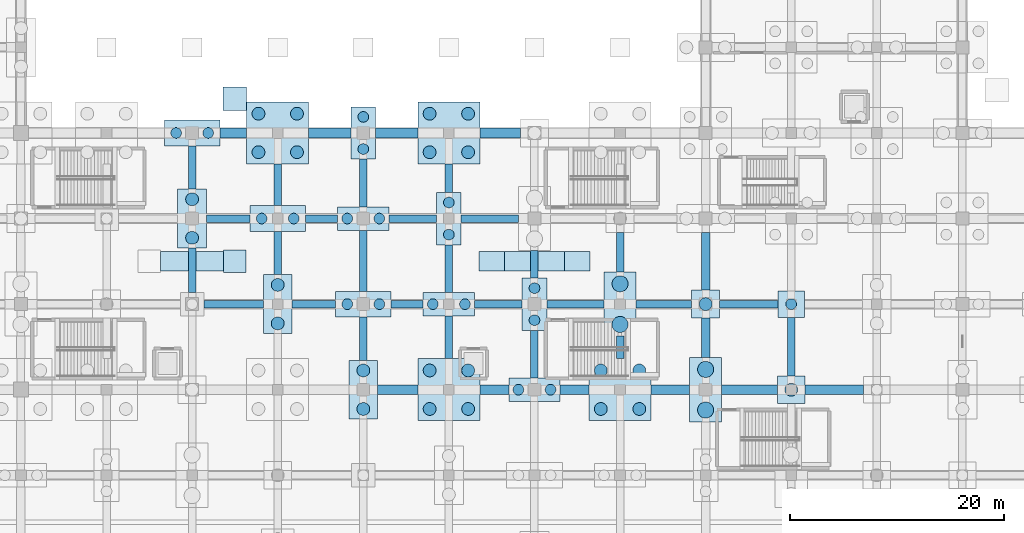
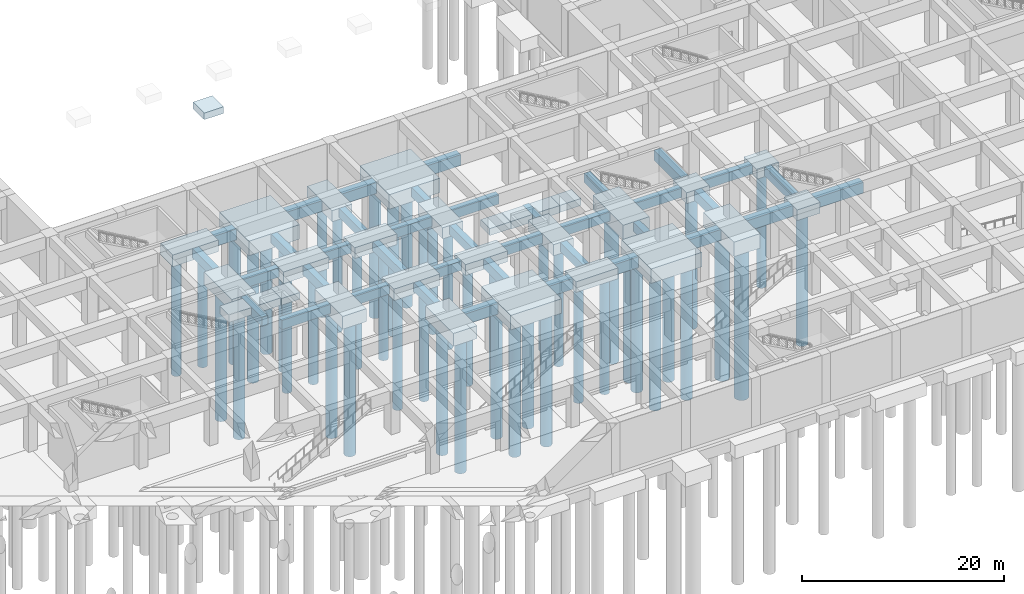
# One storey, part 5 of 26: 65 footings, 47 piles.
"""IFC4 building model written with IfcOpenShell, lengths in metres."""

from ifc_helpers import new_model, si_unit, direction, frame, origin, origin_2d, place, context, subcontext, project, spatial, rectangle, circle, extrude, material, material_profile, profile_set, type_object, element, save


model = new_model("IFC4")

# Units and contexts
model_context = context("Model", 3, precision=1e-05, world=origin(), true_north=direction((0.0, 1.0)))
body_context = subcontext(model_context, "Body", "Model", "MODEL_VIEW")
ifc_project = project(units=[si_unit("LENGTHUNIT", "METRE"), si_unit("AREAUNIT", "SQUARE_METRE"), si_unit("VOLUMEUNIT", "CUBIC_METRE"), si_unit("PLANEANGLEUNIT", "RADIAN"), si_unit("MASSUNIT", "GRAM", prefix="KILO")], contexts=[model_context])

# Site, building, storey
site_placement = place(None, origin())
site = spatial("IfcSite", under=ifc_project, at=site_placement, CompositionType="ELEMENT")
building_placement = place(site_placement, origin())
building = spatial("IfcBuilding", under=site, at=building_placement, Name="Varnela Railside Interchange", CompositionType="ELEMENT")
storey_placement = place(building_placement, frame((0.0, 0.0, -12.60009765625)))
storey = spatial("IfcBuildingStorey", under=building, at=storey_placement, Name="B2", CompositionType="ELEMENT", Elevation=-12.60009765625)

# Footings
ifc_material_1 = material(Name="Concrete C50", Category="concrete")
footing_type_1 = type_object("IfcFootingType", Name="Apron Canopy Pad AP-02", PredefinedType="PAD_FOOTING", material=ifc_material_1)
footing_1_placement = place(storey_placement, frame((72.0, 50.0, -1.60009765625), z_axis=(0.0, 0.0, 1.0), x_axis=(1.0, 0.0, 0.0)))
element("IfcFooting", 1, at=footing_1_placement, inside=storey, type_object=footing_type_1, Name="Apron Canopy Pad AP-02 (FT-0003)", PredefinedType="PAD_FOOTING", context=body_context, shape_type="SweptSolid", body=[
    extrude(rectangle(XDim=2.10009765625, YDim=2.10009765625, at=origin_2d()), origin(), (0.0, 0.0, 1.0), 0.800048828125),
])
footing_2_placement = place(storey_placement, frame((72.0, 65.199951171875, 11.60009765625), z_axis=(0.0, 0.0, 1.0), x_axis=(1.0, 0.0, 0.0)))
element("IfcFooting", 2, at=footing_2_placement, inside=storey, type_object=footing_type_1, Name="Apron Canopy Pad AP-02 (FT-0549)", PredefinedType="PAD_FOOTING", context=body_context, shape_type="SweptSolid", body=[
    extrude(rectangle(XDim=2.199951171875, YDim=2.199951171875, at=origin_2d()), origin(), (0.0, 0.0, 1.0), 0.800048828125),
])

# Piles
ifc_material_2 = material(Name="Concrete C40", Category="concrete")
ifc_material_profile_1 = material_profile(ifc_material_2, circle(Radius=0.5, at=origin_2d()), Name="BORED PILE D1000")
ifc_profile_set_1 = profile_set([ifc_material_profile_1], Name="Concrete C40")
pile_type_1 = type_object("IfcPileType", Name="Bored Pile D1000 L14m", PredefinedType="BORED", material=ifc_profile_set_1)
for number, where, z_axis, x_axis, name in (
    (3, (66.5, 62.0, -2.199951171875), (0.0, 0.0, -1.0), (1.0, 0.0, 0.0), "Bored Pile D1000 L14m"),
    (4, (69.5, 62.0, -2.199951171875), (0.0, 0.0, -1.0), (1.0, 0.0, 0.0), "Bored Pile D1000 L14m"),
    (5, (74.5, 54.0, -2.199951171875), (0.0, 0.0, -1.0), (1.0, 0.0, 0.0), "Bored Pile D1000 L14m"),
    (6, (77.5, 54.0, -2.199951171875), (0.0, 0.0, -1.0), (1.0, 0.0, 0.0), "Bored Pile D1000 L14m"),
    (7, (82.5, 46.0, -2.199951171875), (0.0, 0.0, -1.0), (1.0, 0.0, 0.0), "Bored Pile D1000 L14m"),
    (8, (85.5, 46.0, -2.199951171875), (0.0, 0.0, -1.0), (1.0, 0.0, 0.0), "Bored Pile D1000 L14m"),
    (9, (82.5, 54.0, -2.099853515625), (0.0, 0.0, -1.0), (1.0, 0.0, 0.0), "Bored Pile D1000 L14m"),
    (10, (85.5, 54.0, -2.099853515625), (0.0, 0.0, -1.0), (1.0, 0.0, 0.0), "Bored Pile D1000 L14m"),
    (11, (84.0, 60.5, -2.14990234375), (0.0, 0.0, -1.0), (1.0, 0.0, 0.0), "Bored Pile D1000 L14m"),
    (12, (84.0, 63.5, -2.14990234375), (0.0, 0.0, -1.0), (1.0, 0.0, 0.0), "Bored Pile D1000 L14m"),
    (13, (90.5, 46.0, -2.099853515625), (0.0, 0.0, -1.0), (1.0, 0.0, 0.0), "Bored Pile D1000 L14m"),
    (14, (93.5, 46.0, -2.099853515625), (0.0, 0.0, -1.0), (1.0, 0.0, 0.0), "Bored Pile D1000 L14m"),
    (15, (92.0, 52.5, -2.14990234375), (0.0, 0.0, -1.0), (1.0, 0.0, 0.0), "Bored Pile D1000 L14m"),
    (16, (92.0, 55.5, -2.14990234375), (0.0, 0.0, -1.0), (1.0, 0.0, 0.0), "Bored Pile D1000 L14m"),
    (17, (98.5, 38.0, -2.099853515625), (0.0, 0.0, -1.0), (1.0, 0.0, 0.0), "Bored Pile D1000 L14m"),
    (18, (101.5, 38.0, -2.099853515625), (0.0, 0.0, -1.0), (1.0, 0.0, 0.0), "Bored Pile D1000 L14m"),
    (19, (100.0, 44.5, -2.14990234375), (0.0, 0.0, -1.0), (1.0, 0.0, 0.0), "Bored Pile D1000 L14m"),
    (20, (100.0, 47.5, -2.14990234375), (0.0, 0.0, -1.0), (1.0, 0.0, 0.0), "Bored Pile D1000 L14m"),
    (21, (124.0, 46.0, -2.0), (0.0, 0.0, -1.0), (1.0, 0.0, 0.0), "Bored Pile D1000 L14m"),
):
    element("IfcPile", number, at=place(storey_placement, frame(where, z_axis=z_axis, x_axis=x_axis)), inside=storey, type_object=pile_type_1, Name=name, PredefinedType="BORED", context=body_context, shape_type="SweptSolid", body=[
        extrude(circle(Radius=0.5, at=origin_2d()), origin(), (0.0, 0.0, 1.0), 14.0),
    ])
ifc_material_profile_2 = material_profile(ifc_material_2, circle(Radius=0.60009765625, at=origin_2d()), Name="BORED PILE D1200")
ifc_profile_set_2 = profile_set([ifc_material_profile_2], Name="Concrete C40")
pile_type_2 = type_object("IfcPileType", Name="Bored Pile D1200 L16m", PredefinedType="BORED", material=ifc_profile_set_2)
for number, where, z_axis, x_axis, name in (
    (22, (68.0, 52.199951171875, -2.349853515625), (0.0, 0.0, -1.0), (1.0, 0.0, 0.0), "Bored Pile D1200 L16m"),
    (23, (68.0, 55.800048828125, -2.349853515625), (0.0, 0.0, -1.0), (1.0, 0.0, 0.0), "Bored Pile D1200 L16m"),
    (24, (76.0, 44.199951171875, -2.349853515625), (0.0, 0.0, -1.0), (1.0, 0.0, 0.0), "Bored Pile D1200 L16m"),
    (25, (76.0, 47.800048828125, -2.349853515625), (0.0, 0.0, -1.0), (1.0, 0.0, 0.0), "Bored Pile D1200 L16m"),
    (26, (74.199951171875, 60.199951171875, -2.5498046875), (0.0, 0.0, -1.0), (1.0, 0.0, 0.0), "Bored Pile D1200 L16m"),
    (27, (77.800048828125, 60.199951171875, -2.5498046875), (0.0, 0.0, -1.0), (1.0, 0.0, 0.0), "Bored Pile D1200 L16m"),
    (28, (74.199951171875, 63.800048828125, -2.5498046875), (0.0, 0.0, -1.0), (1.0, 0.0, 0.0), "Bored Pile D1200 L16m"),
    (29, (77.800048828125, 63.800048828125, -2.5498046875), (0.0, 0.0, -1.0), (1.0, 0.0, 0.0), "Bored Pile D1200 L16m"),
    (30, (84.0, 36.199951171875, -2.349853515625), (0.0, 0.0, -1.0), (1.0, 0.0, 0.0), "Bored Pile D1200 L16m"),
    (31, (84.0, 39.800048828125, -2.349853515625), (0.0, 0.0, -1.0), (1.0, 0.0, 0.0), "Bored Pile D1200 L16m"),
    (32, (90.199951171875, 36.199951171875, -2.5498046875), (0.0, 0.0, -1.0), (1.0, 0.0, 0.0), "Bored Pile D1200 L16m"),
    (33, (93.800048828125, 36.199951171875, -2.5498046875), (0.0, 0.0, -1.0), (1.0, 0.0, 0.0), "Bored Pile D1200 L16m"),
    (34, (90.199951171875, 39.800048828125, -2.5498046875), (0.0, 0.0, -1.0), (1.0, 0.0, 0.0), "Bored Pile D1200 L16m"),
    (35, (93.800048828125, 39.800048828125, -2.5498046875), (0.0, 0.0, -1.0), (1.0, 0.0, 0.0), "Bored Pile D1200 L16m"),
    (36, (90.199951171875, 60.199951171875, -2.5498046875), (0.0, 0.0, -1.0), (1.0, 0.0, 0.0), "Bored Pile D1200 L16m"),
    (37, (93.800048828125, 60.199951171875, -2.5498046875), (0.0, 0.0, -1.0), (1.0, 0.0, 0.0), "Bored Pile D1200 L16m"),
    (38, (90.199951171875, 63.800048828125, -2.5498046875), (0.0, 0.0, -1.0), (1.0, 0.0, 0.0), "Bored Pile D1200 L16m"),
    (39, (93.800048828125, 63.800048828125, -2.5498046875), (0.0, 0.0, -1.0), (1.0, 0.0, 0.0), "Bored Pile D1200 L16m"),
    (40, (106.199951171875, 36.199951171875, -2.5498046875), (0.0, 0.0, -1.0), (1.0, 0.0, 0.0), "Bored Pile D1200 L16m"),
    (41, (109.800048828125, 36.199951171875, -2.5498046875), (0.0, 0.0, -1.0), (1.0, 0.0, 0.0), "Bored Pile D1200 L16m"),
    (42, (106.199951171875, 39.800048828125, -2.5498046875), (0.0, 0.0, -1.0), (1.0, 0.0, 0.0), "Bored Pile D1200 L16m"),
    (43, (109.800048828125, 39.800048828125, -2.5498046875), (0.0, 0.0, -1.0), (1.0, 0.0, 0.0), "Bored Pile D1200 L16m"),
    (44, (116.0, 46.0, -2.099853515625), (0.0, 0.0, -1.0), (1.0, 0.0, 0.0), "Bored Pile D1200 L16m"),
    (45, (124.0, 38.0, -2.099853515625), (0.0, 0.0, -1.0), (1.0, 0.0, 0.0), "Bored Pile D1200 L16m"),
):
    element("IfcPile", number, at=place(storey_placement, frame(where, z_axis=z_axis, x_axis=x_axis)), inside=storey, type_object=pile_type_2, Name=name, PredefinedType="BORED", context=body_context, shape_type="SweptSolid", body=[
        extrude(circle(Radius=0.60009765625, at=origin_2d()), origin(), (0.0, 0.0, 1.0), 16.0),
    ])
ifc_material_profile_3 = material_profile(ifc_material_2, circle(Radius=0.75, at=origin_2d()), Name="BORED PILE D1500")
ifc_profile_set_3 = profile_set([ifc_material_profile_3], Name="Concrete C40")
pile_type_3 = type_object("IfcPileType", Name="Bored Pile D1500 L18m", PredefinedType="BORED", material=ifc_profile_set_3)
for number, where, z_axis, x_axis, name in (
    (46, (108.0, 44.10009765625, -2.5498046875), (0.0, 0.0, -1.0), (1.0, 0.0, 0.0), "Bored Pile D1500 L18m"),
    (47, (108.0, 47.89990234375, -2.5498046875), (0.0, 0.0, -1.0), (1.0, 0.0, 0.0), "Bored Pile D1500 L18m"),
    (48, (116.0, 36.10009765625, -2.5498046875), (0.0, 0.0, -1.0), (1.0, 0.0, 0.0), "Bored Pile D1500 L18m"),
    (49, (116.0, 39.89990234375, -2.5498046875), (0.0, 0.0, -1.0), (1.0, 0.0, 0.0), "Bored Pile D1500 L18m"),
):
    element("IfcPile", number, at=place(storey_placement, frame(where, z_axis=z_axis, x_axis=x_axis)), inside=storey, type_object=pile_type_3, Name=name, PredefinedType="BORED", context=body_context, shape_type="SweptSolid", body=[
        extrude(circle(Radius=0.75, at=origin_2d()), origin(), (0.0, 0.0, 1.0), 18.0),
    ])

# Footings
footing_type_2 = type_object("IfcFootingType", Name="Four-Pile Transfer PC-12", PredefinedType="PILE_CAP", material=ifc_material_1)
for number, where, z_axis, x_axis, name in (
    (50, (76.0, 62.0, -2.5498046875), (0.0, 0.0, 1.0), (1.0, 0.0, 0.0), "Four-Pile Transfer PC-12 (FT-0018)"),
    (51, (92.0, 38.0, -2.5498046875), (0.0, 0.0, 1.0), (1.0, 0.0, 0.0), "Four-Pile Transfer PC-12 (FT-0031)"),
    (52, (92.0, 62.0, -2.5498046875), (0.0, 0.0, 1.0), (1.0, 0.0, 0.0), "Four-Pile Transfer PC-12 (FT-0034)"),
    (53, (108.0, 38.0, -2.5498046875), (0.0, 0.0, 1.0), (1.0, 0.0, 0.0), "Four-Pile Transfer PC-12 (FT-0047)"),
):
    element("IfcFooting", number, at=place(storey_placement, frame(where, z_axis=z_axis, x_axis=x_axis)), inside=storey, type_object=footing_type_2, Name=name, PredefinedType="PILE_CAP", context=body_context, shape_type="SweptSolid", body=[
        extrude(rectangle(XDim=5.800048828125, YDim=5.800048828125, at=origin_2d()), origin(), (0.0, 0.0, 1.0), 1.75),
    ])
footing_type_3 = type_object("IfcFootingType", Name="Ground Tie Beam GB-01", PredefinedType="FOOTING_BEAM", material=ifc_material_1)
footing_3_placement = place(storey_placement, frame((68.0, 49.175048828125, -1.89990234375), z_axis=(0.0, 0.0, 1.0), x_axis=(1.0, 0.0, 0.0)))
element("IfcFooting", 54, at=footing_3_placement, inside=storey, type_object=footing_type_3, Name="Ground Tie Beam GB-01 (FT-0546)", PredefinedType="FOOTING_BEAM", context=body_context, shape_type="SweptSolid", body=[
    extrude(rectangle(XDim=0.699951171875, YDim=4.14990234375, at=origin_2d()), origin(), (0.0, 0.0, 1.0), 1.10009765625),
])
for number, where, z_axis, x_axis, name in (
    (55, (68.0, 58.77490234375, -1.89990234375), (0.0, 0.0, 1.0), (1.0, 0.0, 0.0), "Ground Tie Beam GB-01 (FT-0547)"),
    (56, (76.0, 50.77490234375, -1.89990234375), (0.0, 0.0, 1.0), (1.0, 0.0, 0.0), "Ground Tie Beam GB-01 (FT-0386)"),
):
    element("IfcFooting", number, at=place(storey_placement, frame(where, z_axis=z_axis, x_axis=x_axis)), inside=storey, type_object=footing_type_3, Name=name, PredefinedType="FOOTING_BEAM", context=body_context, shape_type="SweptSolid", body=[
        extrude(rectangle(XDim=0.699951171875, YDim=4.050048828125, at=origin_2d()), origin(), (0.0, 0.0, 1.0), 1.10009765625),
    ])
footing_4_placement = place(storey_placement, frame((76.0, 57.14990234375, -1.89990234375), z_axis=(0.0, 0.0, 1.0), x_axis=(1.0, 0.0, 0.0)))
element("IfcFooting", 57, at=footing_4_placement, inside=storey, type_object=footing_type_3, Name="Ground Tie Beam GB-01 (FT-0387)", PredefinedType="FOOTING_BEAM", context=body_context, shape_type="SweptSolid", body=[
    extrude(rectangle(XDim=0.699951171875, YDim=3.89990234375, at=origin_2d()), origin(), (0.0, 0.0, 1.0), 1.10009765625),
])
footing_5_placement = place(storey_placement, frame((84.0, 42.77490234375, -1.89990234375), z_axis=(0.0, 0.0, 1.0), x_axis=(1.0, 0.0, 0.0)))
element("IfcFooting", 58, at=footing_5_placement, inside=storey, type_object=footing_type_3, Name="Ground Tie Beam GB-01 (FT-0392)", PredefinedType="FOOTING_BEAM", context=body_context, shape_type="SweptSolid", body=[
    extrude(rectangle(XDim=0.699951171875, YDim=4.050048828125, at=origin_2d()), origin(), (0.0, 0.0, 1.0), 1.10009765625),
])
footing_6_placement = place(storey_placement, frame((84.0, 50.050048828125, -1.89990234375), z_axis=(0.0, 0.0, 1.0), x_axis=(1.0, 0.0, 0.0)))
element("IfcFooting", 59, at=footing_6_placement, inside=storey, type_object=footing_type_3, Name="Ground Tie Beam GB-01 (FT-0393)", PredefinedType="FOOTING_BEAM", context=body_context, shape_type="SweptSolid", body=[
    extrude(rectangle(XDim=0.699951171875, YDim=5.699951171875, at=origin_2d()), origin(), (0.0, 0.0, 1.0), 1.10009765625),
])
footing_7_placement = place(storey_placement, frame((84.0, 57.324951171875, -1.89990234375), z_axis=(0.0, 0.0, 1.0), x_axis=(1.0, 0.0, 0.0)))
element("IfcFooting", 60, at=footing_7_placement, inside=storey, type_object=footing_type_3, Name="Ground Tie Beam GB-01 (FT-0394)", PredefinedType="FOOTING_BEAM", context=body_context, shape_type="SweptSolid", body=[
    extrude(rectangle(XDim=0.699951171875, YDim=4.449951171875, at=origin_2d()), origin(), (0.0, 0.0, 1.0), 1.10009765625),
])
footing_8_placement = place(storey_placement, frame((92.0, 42.89990234375, -1.89990234375), z_axis=(0.0, 0.0, 1.0), x_axis=(1.0, 0.0, 0.0)))
element("IfcFooting", 61, at=footing_8_placement, inside=storey, type_object=footing_type_3, Name="Ground Tie Beam GB-01 (FT-0399)", PredefinedType="FOOTING_BEAM", context=body_context, shape_type="SweptSolid", body=[
    extrude(rectangle(XDim=0.699951171875, YDim=4.0, at=origin_2d()), origin(), (0.0, 0.0, 1.0), 1.10009765625),
])
footing_9_placement = place(storey_placement, frame((92.0, 49.324951171875, -1.89990234375), z_axis=(0.0, 0.0, 1.0), x_axis=(1.0, 0.0, 0.0)))
element("IfcFooting", 62, at=footing_9_placement, inside=storey, type_object=footing_type_3, Name="Ground Tie Beam GB-01 (FT-0400)", PredefinedType="FOOTING_BEAM", context=body_context, shape_type="SweptSolid", body=[
    extrude(rectangle(XDim=0.699951171875, YDim=4.449951171875, at=origin_2d()), origin(), (0.0, 0.0, 1.0), 1.10009765625),
])
footing_10_placement = place(storey_placement, frame((92.0, 57.77490234375, -1.89990234375), z_axis=(0.0, 0.0, 1.0), x_axis=(1.0, 0.0, 0.0)))
element("IfcFooting", 63, at=footing_10_placement, inside=storey, type_object=footing_type_3, Name="Ground Tie Beam GB-01 (FT-0401)", PredefinedType="FOOTING_BEAM", context=body_context, shape_type="SweptSolid", body=[
    extrude(rectangle(XDim=0.699951171875, YDim=2.64990234375, at=origin_2d()), origin(), (0.0, 0.0, 1.0), 1.10009765625),
])
footing_11_placement = place(storey_placement, frame((100.0, 41.324951171875, -1.89990234375), z_axis=(0.0, 0.0, 1.0), x_axis=(1.0, 0.0, 0.0)))
element("IfcFooting", 64, at=footing_11_placement, inside=storey, type_object=footing_type_3, Name="Ground Tie Beam GB-01 (FT-0406)", PredefinedType="FOOTING_BEAM", context=body_context, shape_type="SweptSolid", body=[
    extrude(rectangle(XDim=0.699951171875, YDim=4.449951171875, at=origin_2d()), origin(), (0.0, 0.0, 1.0), 1.10009765625),
])
footing_12_placement = place(storey_placement, frame((100.0, 49.72509765625, -1.89990234375), z_axis=(0.0, 0.0, 1.0), x_axis=(1.0, 0.0, 0.0)))
element("IfcFooting", 65, at=footing_12_placement, inside=storey, type_object=footing_type_3, Name="Ground Tie Beam GB-01 (FT-0407)", PredefinedType="FOOTING_BEAM", context=body_context, shape_type="SweptSolid", body=[
    extrude(rectangle(XDim=0.699951171875, YDim=2.550048828125, at=origin_2d()), origin(), (0.0, 0.0, 1.0), 1.10009765625),
])
footing_13_placement = place(storey_placement, frame((108.0, 41.949951171875, -1.89990234375), z_axis=(0.0, 0.0, 1.0), x_axis=(1.0, 0.0, 0.0)))
element("IfcFooting", 66, at=footing_13_placement, inside=storey, type_object=footing_type_3, Name="Ground Tie Beam GB-01 (FT-0413)", PredefinedType="FOOTING_BEAM", context=body_context, shape_type="SweptSolid", body=[
    extrude(rectangle(XDim=0.699951171875, YDim=2.10009765625, at=origin_2d()), origin(), (0.0, 0.0, 1.0), 1.10009765625),
])
footing_14_placement = place(storey_placement, frame((108.0, 50.85009765625, -1.89990234375), z_axis=(0.0, 0.0, 1.0), x_axis=(1.0, 0.0, 0.0)))
element("IfcFooting", 67, at=footing_14_placement, inside=storey, type_object=footing_type_3, Name="Ground Tie Beam GB-01 (FT-0414)", PredefinedType="FOOTING_BEAM", context=body_context, shape_type="SweptSolid", body=[
    extrude(rectangle(XDim=0.699951171875, YDim=3.699951171875, at=origin_2d()), origin(), (0.0, 0.0, 1.0), 1.10009765625),
])
footing_15_placement = place(storey_placement, frame((124.0, 42.02490234375, -1.89990234375), z_axis=(0.0, 0.0, 1.0), x_axis=(1.0, 0.0, 0.0)))
element("IfcFooting", 68, at=footing_15_placement, inside=storey, type_object=footing_type_3, Name="Ground Tie Beam GB-01 (FT-0432)", PredefinedType="FOOTING_BEAM", context=body_context, shape_type="SweptSolid", body=[
    extrude(rectangle(XDim=0.699951171875, YDim=5.449951171875, at=origin_2d()), origin(), (0.0, 0.0, 1.0), 1.10009765625),
])
footing_16_placement = place(storey_placement, frame((71.875, 46.0, -1.89990234375), z_axis=(0.0, 0.0, 1.0), x_axis=(1.0, 0.0, 0.0)))
element("IfcFooting", 69, at=footing_16_placement, inside=storey, type_object=footing_type_3, Name="Ground Tie Beam GB-01 (FT-0306)", PredefinedType="FOOTING_BEAM", context=body_context, shape_type="SweptSolid", body=[
    extrude(rectangle(XDim=5.550048828125, YDim=0.699951171875, at=origin_2d()), origin(), (0.0, 0.0, 1.0), 1.10009765625),
])
footing_17_placement = place(storey_placement, frame((79.375, 46.0, -1.89990234375), z_axis=(0.0, 0.0, 1.0), x_axis=(1.0, 0.0, 0.0)))
element("IfcFooting", 70, at=footing_17_placement, inside=storey, type_object=footing_type_3, Name="Ground Tie Beam GB-01 (FT-0307)", PredefinedType="FOOTING_BEAM", context=body_context, shape_type="SweptSolid", body=[
    extrude(rectangle(XDim=4.050048828125, YDim=0.699951171875, at=origin_2d()), origin(), (0.0, 0.0, 1.0), 1.10009765625),
])
footing_18_placement = place(storey_placement, frame((88.10009765625, 46.0, -1.89990234375), z_axis=(0.0, 0.0, 1.0), x_axis=(1.0, 0.0, 0.0)))
element("IfcFooting", 71, at=footing_18_placement, inside=storey, type_object=footing_type_3, Name="Ground Tie Beam GB-01 (FT-0290)", PredefinedType="FOOTING_BEAM", context=body_context, shape_type="SweptSolid", body=[
    extrude(rectangle(XDim=3.0, YDim=0.699951171875, at=origin_2d()), origin(), (0.0, 0.0, 1.0), 1.10009765625),
])
footing_19_placement = place(storey_placement, frame((96.625, 46.0, -1.89990234375), z_axis=(0.0, 0.0, 1.0), x_axis=(1.0, 0.0, 0.0)))
element("IfcFooting", 72, at=footing_19_placement, inside=storey, type_object=footing_type_3, Name="Ground Tie Beam GB-01 (FT-0291)", PredefinedType="FOOTING_BEAM", context=body_context, shape_type="SweptSolid", body=[
    extrude(rectangle(XDim=4.449951171875, YDim=0.699951171875, at=origin_2d()), origin(), (0.0, 0.0, 1.0), 1.10009765625),
])
footing_20_placement = place(storey_placement, frame((103.824951171875, 46.0, -1.89990234375), z_axis=(0.0, 0.0, 1.0), x_axis=(1.0, 0.0, 0.0)))
element("IfcFooting", 73, at=footing_20_placement, inside=storey, type_object=footing_type_3, Name="Ground Tie Beam GB-01 (FT-0292)", PredefinedType="FOOTING_BEAM", context=body_context, shape_type="SweptSolid", body=[
    extrude(rectangle(XDim=5.35009765625, YDim=0.699951171875, at=origin_2d()), origin(), (0.0, 0.0, 1.0), 1.10009765625),
])
footing_21_placement = place(storey_placement, frame((112.10009765625, 46.0, -1.89990234375), z_axis=(0.0, 0.0, 1.0), x_axis=(1.0, 0.0, 0.0)))
element("IfcFooting", 74, at=footing_21_placement, inside=storey, type_object=footing_type_3, Name="Ground Tie Beam GB-01 (FT-0293)", PredefinedType="FOOTING_BEAM", context=body_context, shape_type="SweptSolid", body=[
    extrude(rectangle(XDim=5.199951171875, YDim=0.699951171875, at=origin_2d()), origin(), (0.0, 0.0, 1.0), 1.10009765625),
])
footing_22_placement = place(storey_placement, frame((120.02490234375, 46.0, -1.89990234375), z_axis=(0.0, 0.0, 1.0), x_axis=(1.0, 0.0, 0.0)))
element("IfcFooting", 75, at=footing_22_placement, inside=storey, type_object=footing_type_3, Name="Ground Tie Beam GB-01 (FT-0294)", PredefinedType="FOOTING_BEAM", context=body_context, shape_type="SweptSolid", body=[
    extrude(rectangle(XDim=5.449951171875, YDim=0.699951171875, at=origin_2d()), origin(), (0.0, 0.0, 1.0), 1.10009765625),
])
footing_23_placement = place(storey_placement, frame((71.375, 54.0, -1.89990234375), z_axis=(0.0, 0.0, 1.0), x_axis=(1.0, 0.0, 0.0)))
element("IfcFooting", 76, at=footing_23_placement, inside=storey, type_object=footing_type_3, Name="Ground Tie Beam GB-01 (FT-0326)", PredefinedType="FOOTING_BEAM", context=body_context, shape_type="SweptSolid", body=[
    extrude(rectangle(XDim=4.050048828125, YDim=0.699951171875, at=origin_2d()), origin(), (0.0, 0.0, 1.0), 1.10009765625),
])
footing_24_placement = place(storey_placement, frame((80.10009765625, 54.0, -1.89990234375), z_axis=(0.0, 0.0, 1.0), x_axis=(1.0, 0.0, 0.0)))
element("IfcFooting", 77, at=footing_24_placement, inside=storey, type_object=footing_type_3, Name="Ground Tie Beam GB-01 (FT-0327)", PredefinedType="FOOTING_BEAM", context=body_context, shape_type="SweptSolid", body=[
    extrude(rectangle(XDim=3.0, YDim=0.699951171875, at=origin_2d()), origin(), (0.0, 0.0, 1.0), 1.10009765625),
])
footing_25_placement = place(storey_placement, frame((88.625, 54.0, -1.89990234375), z_axis=(0.0, 0.0, 1.0), x_axis=(1.0, 0.0, 0.0)))
element("IfcFooting", 78, at=footing_25_placement, inside=storey, type_object=footing_type_3, Name="Ground Tie Beam GB-01 (FT-0310)", PredefinedType="FOOTING_BEAM", context=body_context, shape_type="SweptSolid", body=[
    extrude(rectangle(XDim=4.449951171875, YDim=0.699951171875, at=origin_2d()), origin(), (0.0, 0.0, 1.0), 1.10009765625),
])
footing_26_placement = place(storey_placement, frame((95.824951171875, 54.0, -1.89990234375), z_axis=(0.0, 0.0, 1.0), x_axis=(1.0, 0.0, 0.0)))
element("IfcFooting", 79, at=footing_26_placement, inside=storey, type_object=footing_type_3, Name="Ground Tie Beam GB-01 (FT-0311)", PredefinedType="FOOTING_BEAM", context=body_context, shape_type="SweptSolid", body=[
    extrude(rectangle(XDim=5.35009765625, YDim=0.699951171875, at=origin_2d()), origin(), (0.0, 0.0, 1.0), 1.10009765625),
])
footing_type_4 = type_object("IfcFootingType", Name="Ground Tie Beam GB-02", PredefinedType="FOOTING_BEAM", material=ifc_material_1)
footing_27_placement = place(storey_placement, frame((116.0, 42.85009765625, -2.0), z_axis=(0.0, 0.0, 1.0), x_axis=(1.0, 0.0, 0.0)))
element("IfcFooting", 80, at=footing_27_placement, inside=storey, type_object=footing_type_4, Name="Ground Tie Beam GB-02 (FT-0421)", PredefinedType="FOOTING_BEAM", context=body_context, shape_type="SweptSolid", body=[
    extrude(rectangle(XDim=0.800048828125, YDim=3.699951171875, at=origin_2d()), origin(), (0.0, 0.0, 1.0), 1.199951171875),
])
footing_28_placement = place(storey_placement, frame((116.0, 50.0, -2.0), z_axis=(0.0, 0.0, 1.0), x_axis=(1.0, 0.0, 0.0)))
element("IfcFooting", 81, at=footing_28_placement, inside=storey, type_object=footing_type_4, Name="Ground Tie Beam GB-02 (FT-0422)", PredefinedType="FOOTING_BEAM", context=body_context, shape_type="SweptSolid", body=[
    extrude(rectangle(XDim=0.800048828125, YDim=5.39990234375, at=origin_2d()), origin(), (0.0, 0.0, 1.0), 1.199951171875),
])
footing_type_5 = type_object("IfcFootingType", Name="Ground Tie Beam GB-03", PredefinedType="FOOTING_BEAM", material=ifc_material_1)
footing_29_placement = place(storey_placement, frame((87.22509765625, 38.0, -2.10009765625), z_axis=(0.0, 0.0, 1.0), x_axis=(1.0, 0.0, 0.0)))
element("IfcFooting", 82, at=footing_29_placement, inside=storey, type_object=footing_type_5, Name="Ground Tie Beam GB-03 (FT-0270)", PredefinedType="FOOTING_BEAM", context=body_context, shape_type="SweptSolid", body=[
    extrude(rectangle(XDim=3.75, YDim=0.89990234375, at=origin_2d()), origin(), (0.0, 0.0, 1.0), 1.300048828125),
])
for number, where, z_axis, x_axis, name in (
    (83, (96.25, 38.0, -2.10009765625), (0.0, 0.0, 1.0), (1.0, 0.0, 0.0), "Ground Tie Beam GB-03 (FT-0271)"),
    (84, (103.75, 38.0, -2.10009765625), (0.0, 0.0, 1.0), (1.0, 0.0, 0.0), "Ground Tie Beam GB-03 (FT-0272)"),
):
    element("IfcFooting", number, at=place(storey_placement, frame(where, z_axis=z_axis, x_axis=x_axis)), inside=storey, type_object=footing_type_5, Name=name, PredefinedType="FOOTING_BEAM", context=body_context, shape_type="SweptSolid", body=[
        extrude(rectangle(XDim=2.699951171875, YDim=0.89990234375, at=origin_2d()), origin(), (0.0, 0.0, 1.0), 1.300048828125),
    ])
footing_30_placement = place(storey_placement, frame((112.699951171875, 38.0, -2.10009765625), z_axis=(0.0, 0.0, 1.0), x_axis=(1.0, 0.0, 0.0)))
element("IfcFooting", 85, at=footing_30_placement, inside=storey, type_object=footing_type_5, Name="Ground Tie Beam GB-03 (FT-0273)", PredefinedType="FOOTING_BEAM", context=body_context, shape_type="SweptSolid", body=[
    extrude(rectangle(XDim=3.60009765625, YDim=0.89990234375, at=origin_2d()), origin(), (0.0, 0.0, 1.0), 1.300048828125),
])
footing_31_placement = place(storey_placement, frame((120.10009765625, 38.0, -2.10009765625), z_axis=(0.0, 0.0, 1.0), x_axis=(1.0, 0.0, 0.0)))
element("IfcFooting", 86, at=footing_31_placement, inside=storey, type_object=footing_type_5, Name="Ground Tie Beam GB-03 (FT-0274)", PredefinedType="FOOTING_BEAM", context=body_context, shape_type="SweptSolid", body=[
    extrude(rectangle(XDim=5.199951171875, YDim=0.89990234375, at=origin_2d()), origin(), (0.0, 0.0, 1.0), 1.300048828125),
])
footing_32_placement = place(storey_placement, frame((128.02490234375, 38.0, -2.10009765625), z_axis=(0.0, 0.0, 1.0), x_axis=(1.0, 0.0, 0.0)))
element("IfcFooting", 87, at=footing_32_placement, inside=storey, type_object=footing_type_5, Name="Ground Tie Beam GB-03 (FT-0275)", PredefinedType="FOOTING_BEAM", context=body_context, shape_type="SweptSolid", body=[
    extrude(rectangle(XDim=5.449951171875, YDim=0.89990234375, at=origin_2d()), origin(), (0.0, 0.0, 1.0), 1.300048828125),
])
footing_33_placement = place(storey_placement, frame((71.85009765625, 62.0, -2.10009765625), z_axis=(0.0, 0.0, 1.0), x_axis=(1.0, 0.0, 0.0)))
element("IfcFooting", 88, at=footing_33_placement, inside=storey, type_object=footing_type_5, Name="Ground Tie Beam GB-03 (FT-0343)", PredefinedType="FOOTING_BEAM", context=body_context, shape_type="SweptSolid", body=[
    extrude(rectangle(XDim=2.5, YDim=0.89990234375, at=origin_2d()), origin(), (0.0, 0.0, 1.0), 1.300048828125),
])
for number, where, z_axis, x_axis, name in (
    (89, (80.875, 62.0, -2.10009765625), (0.0, 0.0, 1.0), (1.0, 0.0, 0.0), "Ground Tie Beam GB-03 (FT-0344)"),
    (90, (87.125, 62.0, -2.10009765625), (0.0, 0.0, 1.0), (1.0, 0.0, 0.0), "Ground Tie Beam GB-03 (FT-0329)"),
):
    element("IfcFooting", number, at=place(storey_placement, frame(where, z_axis=z_axis, x_axis=x_axis)), inside=storey, type_object=footing_type_5, Name=name, PredefinedType="FOOTING_BEAM", context=body_context, shape_type="SweptSolid", body=[
        extrude(rectangle(XDim=3.949951171875, YDim=0.89990234375, at=origin_2d()), origin(), (0.0, 0.0, 1.0), 1.300048828125),
    ])
footing_34_placement = place(storey_placement, frame((96.800048828125, 62.0, -2.10009765625), z_axis=(0.0, 0.0, 1.0), x_axis=(1.0, 0.0, 0.0)))
element("IfcFooting", 91, at=footing_34_placement, inside=storey, type_object=footing_type_5, Name="Ground Tie Beam GB-03 (FT-0330)", PredefinedType="FOOTING_BEAM", context=body_context, shape_type="SweptSolid", body=[
    extrude(rectangle(XDim=3.800048828125, YDim=0.89990234375, at=origin_2d()), origin(), (0.0, 0.0, 1.0), 1.300048828125),
])
footing_type_6 = type_object("IfcFootingType", Name="Portal Plinth Pad AP-03", PredefinedType="PAD_FOOTING", material=ifc_material_1)
for number, where, z_axis, x_axis, name in (
    (92, (96.0, 50.0, -1.64990234375), (0.0, 0.0, 1.0), (1.0, 0.0, 0.0), "Portal Plinth Pad AP-03 (FT-0006)"),
    (93, (104.0, 50.0, -1.64990234375), (0.0, 0.0, 1.0), (1.0, 0.0, 0.0), "Portal Plinth Pad AP-03 (FT-0005)"),
):
    element("IfcFooting", number, at=place(storey_placement, frame(where, z_axis=z_axis, x_axis=x_axis)), inside=storey, type_object=footing_type_6, Name=name, PredefinedType="PAD_FOOTING", context=body_context, shape_type="SweptSolid", body=[
        extrude(rectangle(XDim=2.39990234375, YDim=1.800048828125, at=origin_2d()), origin(), (0.0, 0.0, 1.0), 0.85009765625),
    ])
footing_type_7 = type_object("IfcFootingType", Name="Single Large Pile Cap PC-07", PredefinedType="PILE_CAP", material=ifc_material_1)
for number, where, z_axis, x_axis, name in (
    (94, (116.0, 46.0, -2.10009765625), (0.0, 0.0, 1.0), (1.0, 0.0, 0.0), "Single Large Pile Cap PC-07 (FT-0056)"),
    (95, (124.0, 38.0, -2.10009765625), (0.0, 0.0, 1.0), (1.0, 0.0, 0.0), "Single Large Pile Cap PC-07 (FT-0067)"),
):
    element("IfcFooting", number, at=place(storey_placement, frame(where, z_axis=z_axis, x_axis=x_axis)), inside=storey, type_object=footing_type_7, Name=name, PredefinedType="PILE_CAP", context=body_context, shape_type="SweptSolid", body=[
        extrude(rectangle(XDim=2.60009765625, YDim=2.60009765625, at=origin_2d()), origin(), (0.0, 0.0, 1.0), 1.300048828125),
    ])
footing_type_8 = type_object("IfcFootingType", Name="Single Pile Cap PC-02", PredefinedType="PILE_CAP", material=ifc_material_1)
footing_35_placement = place(storey_placement, frame((124.0, 46.0, -2.0), z_axis=(0.0, 0.0, 1.0), x_axis=(1.0, 0.0, 0.0)))
element("IfcFooting", 96, at=footing_35_placement, inside=storey, type_object=footing_type_8, Name="Single Pile Cap PC-02 (FT-0068)", PredefinedType="PILE_CAP", context=body_context, shape_type="SweptSolid", body=[
    extrude(rectangle(XDim=2.5, YDim=2.5, at=origin_2d()), origin(), (0.0, 0.0, 1.0), 1.199951171875),
])
footing_type_9 = type_object("IfcFootingType", Name="Two-Pile Cap Heavy PC-05", PredefinedType="PILE_CAP", material=ifc_material_1)
for number, where, z_axis, x_axis, name in (
    (97, (68.0, 62.0, -2.199951171875), (0.0, 0.0, 1.0), (1.0, 0.0, 0.0), "Two-Pile Cap Heavy PC-05 (FT-0200)"),
    (98, (76.0, 54.0, -2.199951171875), (0.0, 0.0, 1.0), (1.0, 0.0, 0.0), "Two-Pile Cap Heavy PC-05 (FT-0017)"),
    (99, (84.0, 46.0, -2.199951171875), (0.0, 0.0, 1.0), (1.0, 0.0, 0.0), "Two-Pile Cap Heavy PC-05 (FT-0024)"),
):
    element("IfcFooting", number, at=place(storey_placement, frame(where, z_axis=z_axis, x_axis=x_axis)), inside=storey, type_object=footing_type_9, Name=name, PredefinedType="PILE_CAP", context=body_context, shape_type="SweptSolid", body=[
        extrude(rectangle(XDim=5.199951171875, YDim=2.39990234375, at=origin_2d()), origin(), (0.0, 0.0, 1.0), 1.39990234375),
    ])
footing_type_10 = type_object("IfcFootingType", Name="Two-Pile Cap X PC-03", PredefinedType="PILE_CAP", material=ifc_material_1)
for number, where, z_axis, x_axis, name in (
    (100, (84.0, 54.0, -2.10009765625), (0.0, 0.0, 1.0), (1.0, 0.0, 0.0), "Two-Pile Cap X PC-03 (FT-0025)"),
    (101, (92.0, 46.0, -2.10009765625), (0.0, 0.0, 1.0), (1.0, 0.0, 0.0), "Two-Pile Cap X PC-03 (FT-0032)"),
    (102, (100.0, 38.0, -2.10009765625), (0.0, 0.0, 1.0), (1.0, 0.0, 0.0), "Two-Pile Cap X PC-03 (FT-0039)"),
):
    element("IfcFooting", number, at=place(storey_placement, frame(where, z_axis=z_axis, x_axis=x_axis)), inside=storey, type_object=footing_type_10, Name=name, PredefinedType="PILE_CAP", context=body_context, shape_type="SweptSolid", body=[
        extrude(rectangle(XDim=4.800048828125, YDim=2.199951171875, at=origin_2d()), origin(), (0.0, 0.0, 1.0), 1.300048828125),
    ])
footing_type_11 = type_object("IfcFootingType", Name="Two-Pile Cap Y D1200 PC-09", PredefinedType="PILE_CAP", material=ifc_material_1)
for number, where, z_axis, x_axis, name in (
    (103, (68.0, 54.0, -2.35009765625), (0.0, 0.0, 1.0), (1.0, 0.0, 0.0), "Two-Pile Cap Y D1200 PC-09 (FT-0199)"),
    (104, (76.0, 46.0, -2.35009765625), (0.0, 0.0, 1.0), (1.0, 0.0, 0.0), "Two-Pile Cap Y D1200 PC-09 (FT-0016)"),
    (105, (84.0, 38.0, -2.35009765625), (0.0, 0.0, 1.0), (1.0, 0.0, 0.0), "Two-Pile Cap Y D1200 PC-09 (FT-0023)"),
):
    element("IfcFooting", number, at=place(storey_placement, frame(where, z_axis=z_axis, x_axis=x_axis)), inside=storey, type_object=footing_type_11, Name=name, PredefinedType="PILE_CAP", context=body_context, shape_type="SweptSolid", body=[
        extrude(rectangle(XDim=2.699951171875, YDim=5.5, at=origin_2d()), origin(), (0.0, 0.0, 1.0), 1.550048828125),
    ])
footing_type_12 = type_object("IfcFootingType", Name="Two-Pile Cap Y PC-04", PredefinedType="PILE_CAP", material=ifc_material_1)
for number, where, z_axis, x_axis, name in (
    (106, (84.0, 62.0, -2.14990234375), (0.0, 0.0, 1.0), (1.0, 0.0, 0.0), "Two-Pile Cap Y PC-04 (FT-0026)"),
    (107, (92.0, 54.0, -2.14990234375), (0.0, 0.0, 1.0), (1.0, 0.0, 0.0), "Two-Pile Cap Y PC-04 (FT-0033)"),
    (108, (100.0, 46.0, -2.14990234375), (0.0, 0.0, 1.0), (1.0, 0.0, 0.0), "Two-Pile Cap Y PC-04 (FT-0040)"),
):
    element("IfcFooting", number, at=place(storey_placement, frame(where, z_axis=z_axis, x_axis=x_axis)), inside=storey, type_object=footing_type_12, Name=name, PredefinedType="PILE_CAP", context=body_context, shape_type="SweptSolid", body=[
        extrude(rectangle(XDim=2.300048828125, YDim=4.89990234375, at=origin_2d()), origin(), (0.0, 0.0, 1.0), 1.35009765625),
    ])
footing_type_13 = type_object("IfcFootingType", Name="Two-Pile Heavy Cap Y PC-14", PredefinedType="PILE_CAP", material=ifc_material_1)
for number, where, z_axis, x_axis, name in (
    (109, (108.0, 46.0, -2.5498046875), (0.0, 0.0, 1.0), (1.0, 0.0, 0.0), "Two-Pile Heavy Cap Y PC-14 (FT-0048)"),
    (110, (116.0, 38.0, -2.5498046875), (0.0, 0.0, 1.0), (1.0, 0.0, 0.0), "Two-Pile Heavy Cap Y PC-14 (FT-0055)"),
):
    element("IfcFooting", number, at=place(storey_placement, frame(where, z_axis=z_axis, x_axis=x_axis)), inside=storey, type_object=footing_type_13, Name=name, PredefinedType="PILE_CAP", context=body_context, shape_type="SweptSolid", body=[
        extrude(rectangle(XDim=3.0, YDim=6.0, at=origin_2d()), origin(), (0.0, 0.0, 1.0), 1.75),
    ])
footing_type_14 = type_object("IfcFootingType", Name="Wall Strip Footing SF-01", PredefinedType="STRIP_FOOTING", material=ifc_material_1)
footing_36_placement = place(storey_placement, frame((68.0, 50.0, -1.699951171875), z_axis=(0.0, 0.0, 1.0), x_axis=(1.0, 0.0, 0.0)))
element("IfcFooting", 111, at=footing_36_placement, inside=storey, type_object=footing_type_14, Name="Wall Strip Footing SF-01 (FT-0551)", PredefinedType="STRIP_FOOTING", context=body_context, shape_type="SweptSolid", body=[
    extrude(rectangle(XDim=5.89990234375, YDim=1.800048828125, at=origin_2d()), origin(), (0.0, 0.0, 1.0), 0.89990234375),
])
footing_37_placement = place(storey_placement, frame((100.0, 50.0, -1.699951171875), z_axis=(0.0, 0.0, 1.0), x_axis=(1.0, 0.0, 0.0)))
element("IfcFooting", 112, at=footing_37_placement, inside=storey, type_object=footing_type_14, Name="Wall Strip Footing SF-01 (FT-0552)", PredefinedType="STRIP_FOOTING", context=body_context, shape_type="SweptSolid", body=[
    extrude(rectangle(XDim=5.60009765625, YDim=1.800048828125, at=origin_2d()), origin(), (0.0, 0.0, 1.0), 0.89990234375),
])

save(model, "model.ifc")
